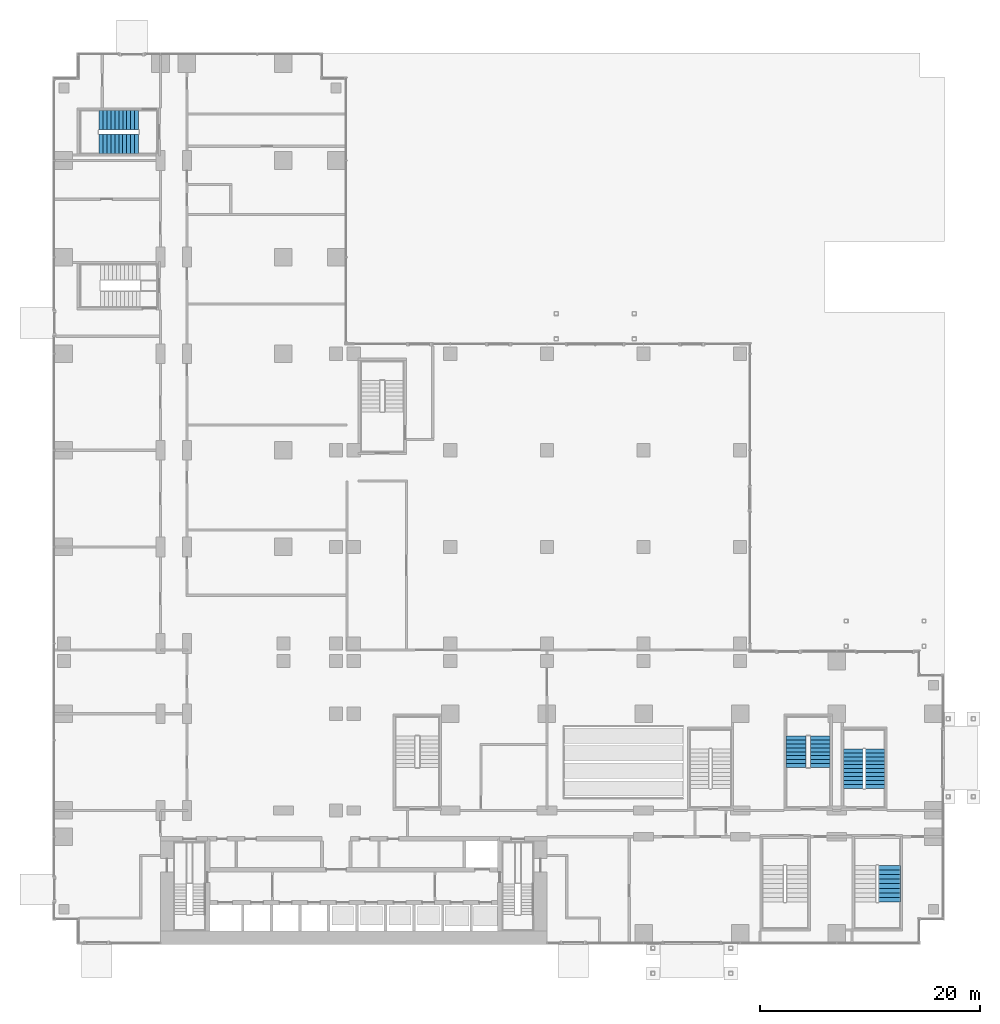
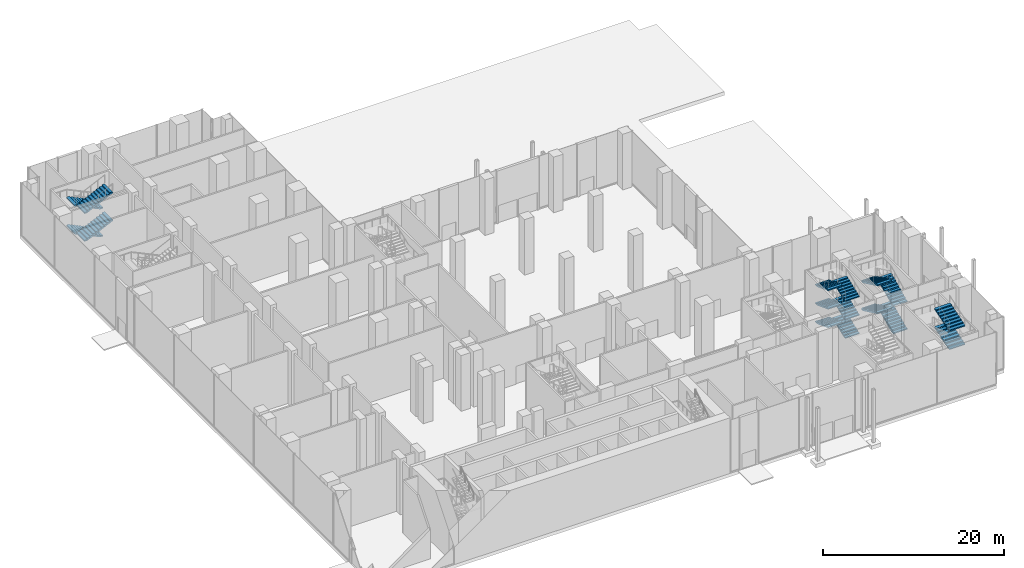
# One storey, part 31 of 41: 16 stair flights, 4 elements without a shape of their own.
"""IFC4 building model written with IfcOpenShell, lengths in metres."""

from ifc_helpers import new_model, si_unit, direction, frame, origin, place, context, subcontext, project, spatial, polyline, outline, extrude, material, type_object, element, aggregate, save


model = new_model("IFC4")

# Units and contexts
model_context = context("Model", 3, precision=1e-05, world=origin(), true_north=direction((0.0, 1.0)))
body_context = subcontext(model_context, "Body", "Model", "MODEL_VIEW")
ifc_project = project(units=[si_unit("LENGTHUNIT", "METRE"), si_unit("AREAUNIT", "SQUARE_METRE"), si_unit("VOLUMEUNIT", "CUBIC_METRE"), si_unit("PLANEANGLEUNIT", "RADIAN"), si_unit("MASSUNIT", "GRAM", prefix="KILO")], contexts=[model_context])

# Site, building, storey
site_placement = place(None, origin())
site = spatial("IfcSite", under=ifc_project, at=site_placement, CompositionType="ELEMENT")
building_placement = place(site_placement, origin())
building = spatial("IfcBuilding", under=site, at=building_placement, Name="Kemantara Hotel Tower", CompositionType="ELEMENT")
storey_placement = place(building_placement, origin())
storey = spatial("IfcBuildingStorey", under=building, at=storey_placement, Name="L00", CompositionType="ELEMENT", Elevation=0.0)

# Stair, stair flights
ifc_material = material(Name="Concrete fc 40 MPa", Category="concrete")
stair_type_1 = type_object("IfcStairType", Name="Stair 1800 wide 54 risers of 139 x 360 mm", PredefinedType="HALF_TURN_STAIR", material=ifc_material)
stair_1_placement = place(storey_placement, origin())
stair_1 = element("IfcStair", 1, at=stair_1_placement, inside=storey, type_object=stair_type_1, Name="L00 Stair PS1", PredefinedType="HALF_TURN_STAIR")
stair_flight_type_1 = type_object("IfcStairFlightType", Name="Stair flight 1800 wide 139 x 360 mm", PredefinedType="STRAIGHT", material=ifc_material)
stair_flight_1_placement = place(storey_placement, frame((69.89990234375, 16.10009765625, 0.0), z_axis=(0.0, 0.0, 1.0), x_axis=(0.0, 1.0, 0.0)))
stair_flight_1 = element("IfcStairFlight", 2, at=stair_flight_1_placement, type_object=stair_flight_type_1, Name="PS1 flight 1", NumberOfRisers=9, NumberOfTreads=8, PredefinedType="STRAIGHT", RiserHeight=0.138888889, TreadLength=0.36, context=body_context, shape_type="SweptSolid", body=[
    extrude(outline(polyline([(0.0, 0.0), (0.0, 0.138916015625), (0.360107421875, 0.138916015625), (0.360107421875, 0.27783203125), (0.719970703125, 0.27783203125), (0.719970703125, 0.416748046875), (1.080078125, 0.416748046875), (1.080078125, 0.5556640625), (1.43994140625, 0.5556640625), (1.43994140625, 0.6943359375), (1.800048828125, 0.6943359375), (1.800048828125, 0.833251953125), (2.159912109375, 0.833251953125), (2.159912109375, 0.97216796875), (2.52001953125, 0.97216796875), (2.52001953125, 1.111083984375), (2.8798828125, 1.111083984375), (2.8798828125, 1.25), (2.8798828125, 0.950439453125), (0.41650390625, 0.0), (0.0, 0.0)])), frame((0.0, 0.89990234375, 0.0), z_axis=(0.0, -1.0, 0.0), x_axis=(1.0, 0.0, 0.0)), (0.0, 0.0, 1.0), 1.800048828125),
])
stair_flight_2_placement = place(storey_placement, frame((67.699951171875, 18.97998046875, 1.25), z_axis=(0.0, 0.0, 1.0), x_axis=(0.0, -1.0, 0.0)))
stair_flight_2 = element("IfcStairFlight", 3, at=stair_flight_2_placement, type_object=stair_flight_type_1, Name="PS1 flight 2", NumberOfRisers=9, NumberOfTreads=8, PredefinedType="STRAIGHT", RiserHeight=0.138888889, TreadLength=0.36, context=body_context, shape_type="SweptSolid", body=[
    extrude(outline(polyline([(0.0, 0.0), (0.0, 0.138916015625), (0.360107421875, 0.138916015625), (0.360107421875, 0.27783203125), (0.719970703125, 0.27783203125), (0.719970703125, 0.416748046875), (1.080078125, 0.416748046875), (1.080078125, 0.5556640625), (1.43994140625, 0.5556640625), (1.43994140625, 0.6943359375), (1.800048828125, 0.6943359375), (1.800048828125, 0.833251953125), (2.159912109375, 0.833251953125), (2.159912109375, 0.97216796875), (2.52001953125, 0.97216796875), (2.52001953125, 1.111083984375), (2.8798828125, 1.111083984375), (2.8798828125, 1.25), (2.8798828125, 0.950439453125), (0.41650390625, 0.0), (0.0, 0.0)])), frame((0.0, 0.89990234375, 0.0), z_axis=(0.0, -1.0, 0.0), x_axis=(1.0, 0.0, 0.0)), (0.0, 0.0, 1.0), 1.800048828125),
])
stair_flight_3_placement = place(storey_placement, frame((69.89990234375, 16.10009765625, 2.5), z_axis=(0.0, 0.0, 1.0), x_axis=(0.0, 1.0, 0.0)))
stair_flight_3 = element("IfcStairFlight", 4, at=stair_flight_3_placement, type_object=stair_flight_type_1, Name="PS1 flight 3", NumberOfRisers=9, NumberOfTreads=8, PredefinedType="STRAIGHT", RiserHeight=0.138888889, TreadLength=0.36, context=body_context, shape_type="SweptSolid", body=[
    extrude(outline(polyline([(0.0, 0.0), (0.0, 0.138916015625), (0.360107421875, 0.138916015625), (0.360107421875, 0.27783203125), (0.719970703125, 0.27783203125), (0.719970703125, 0.416748046875), (1.080078125, 0.416748046875), (1.080078125, 0.5556640625), (1.43994140625, 0.5556640625), (1.43994140625, 0.6943359375), (1.800048828125, 0.6943359375), (1.800048828125, 0.833251953125), (2.159912109375, 0.833251953125), (2.159912109375, 0.97216796875), (2.52001953125, 0.97216796875), (2.52001953125, 1.111083984375), (2.8798828125, 1.111083984375), (2.8798828125, 1.25), (2.8798828125, 0.950439453125), (0.41650390625, 0.0), (0.0, 0.0)])), frame((0.0, 0.89990234375, 0.0), z_axis=(0.0, -1.0, 0.0), x_axis=(1.0, 0.0, 0.0)), (0.0, 0.0, 1.0), 1.800048828125),
])
stair_flight_4_placement = place(storey_placement, frame((67.699951171875, 18.97998046875, 3.75), z_axis=(0.0, 0.0, 1.0), x_axis=(0.0, -1.0, 0.0)))
stair_flight_4 = element("IfcStairFlight", 5, at=stair_flight_4_placement, type_object=stair_flight_type_1, Name="PS1 flight 4", NumberOfRisers=9, NumberOfTreads=8, PredefinedType="STRAIGHT", RiserHeight=0.138888889, TreadLength=0.36, context=body_context, shape_type="SweptSolid", body=[
    extrude(outline(polyline([(0.0, 0.0), (0.0, 0.138916015625), (0.360107421875, 0.138916015625), (0.360107421875, 0.27783203125), (0.719970703125, 0.27783203125), (0.719970703125, 0.416748046875), (1.080078125, 0.416748046875), (1.080078125, 0.5556640625), (1.43994140625, 0.5556640625), (1.43994140625, 0.6943359375), (1.800048828125, 0.6943359375), (1.800048828125, 0.833251953125), (2.159912109375, 0.833251953125), (2.159912109375, 0.97216796875), (2.52001953125, 0.97216796875), (2.52001953125, 1.111083984375), (2.8798828125, 1.111083984375), (2.8798828125, 1.25), (2.8798828125, 0.950439453125), (0.41650390625, 0.0), (0.0, 0.0)])), frame((0.0, 0.89990234375, 0.0), z_axis=(0.0, -1.0, 0.0), x_axis=(1.0, 0.0, 0.0)), (0.0, 0.0, 1.0), 1.800048828125),
])
stair_flight_5_placement = place(storey_placement, frame((69.89990234375, 16.10009765625, 5.0), z_axis=(0.0, 0.0, 1.0), x_axis=(0.0, 1.0, 0.0)))
stair_flight_5 = element("IfcStairFlight", 6, at=stair_flight_5_placement, type_object=stair_flight_type_1, Name="PS1 flight 5", NumberOfRisers=9, NumberOfTreads=8, PredefinedType="STRAIGHT", RiserHeight=0.138888889, TreadLength=0.36, context=body_context, shape_type="SweptSolid", body=[
    extrude(outline(polyline([(0.0, 0.0), (0.0, 0.138916015625), (0.360107421875, 0.138916015625), (0.360107421875, 0.27783203125), (0.719970703125, 0.27783203125), (0.719970703125, 0.416748046875), (1.080078125, 0.416748046875), (1.080078125, 0.5556640625), (1.43994140625, 0.5556640625), (1.43994140625, 0.6943359375), (1.800048828125, 0.6943359375), (1.800048828125, 0.833251953125), (2.159912109375, 0.833251953125), (2.159912109375, 0.97216796875), (2.52001953125, 0.97216796875), (2.52001953125, 1.111083984375), (2.8798828125, 1.111083984375), (2.8798828125, 1.25), (2.8798828125, 0.950439453125), (0.41650390625, 0.0), (0.0, 0.0)])), frame((0.0, 0.89990234375, 0.0), z_axis=(0.0, -1.0, 0.0), x_axis=(1.0, 0.0, 0.0)), (0.0, 0.0, 1.0), 1.800048828125),
])
stair_flight_6_placement = place(storey_placement, frame((67.699951171875, 18.97998046875, 6.25), z_axis=(0.0, 0.0, 1.0), x_axis=(0.0, -1.0, 0.0)))
stair_flight_6 = element("IfcStairFlight", 7, at=stair_flight_6_placement, type_object=stair_flight_type_1, Name="PS1 flight 6", NumberOfRisers=9, NumberOfTreads=8, PredefinedType="STRAIGHT", RiserHeight=0.138888889, TreadLength=0.36, context=body_context, shape_type="SweptSolid", body=[
    extrude(outline(polyline([(0.0, 0.0), (0.0, 0.138916015625), (0.360107421875, 0.138916015625), (0.360107421875, 0.27783203125), (0.719970703125, 0.27783203125), (0.719970703125, 0.416748046875), (1.080078125, 0.416748046875), (1.080078125, 0.5556640625), (1.43994140625, 0.5556640625), (1.43994140625, 0.6943359375), (1.800048828125, 0.6943359375), (1.800048828125, 0.833251953125), (2.159912109375, 0.833251953125), (2.159912109375, 0.97216796875), (2.52001953125, 0.97216796875), (2.52001953125, 1.111083984375), (2.8798828125, 1.111083984375), (2.8798828125, 1.25), (2.8798828125, 0.950439453125), (0.41650390625, 0.0), (0.0, 0.0)])), frame((0.0, 0.89990234375, 0.0), z_axis=(0.0, -1.0, 0.0), x_axis=(1.0, 0.0, 0.0)), (0.0, 0.0, 1.0), 1.800048828125),
])
aggregate(stair_1, [stair_flight_1, stair_flight_2, stair_flight_3, stair_flight_4, stair_flight_5, stair_flight_6])

stair_type_2 = type_object("IfcStairType", Name="Stair 1800 wide 44 risers of 170 x 360 mm", PredefinedType="HALF_TURN_STAIR", material=ifc_material)
stair_2_placement = place(storey_placement, origin())
stair_2 = element("IfcStair", 8, at=stair_2_placement, inside=storey, type_object=stair_type_2, Name="L00 Exit stair ST5", PredefinedType="HALF_TURN_STAIR")
stair_flight_type_2 = type_object("IfcStairFlightType", Name="Stair flight 1800 wide 170 x 360 mm", PredefinedType="STRAIGHT", material=ifc_material)
stair_flight_7_placement = place(storey_placement, frame((74.89990234375, 14.199951171875, 0.0), z_axis=(0.0, 0.0, 1.0), x_axis=(0.0, 1.0, 0.0)))
stair_flight_7 = element("IfcStairFlight", 9, at=stair_flight_7_placement, type_object=stair_flight_type_2, Name="ST5 flight 1", NumberOfRisers=11, NumberOfTreads=10, PredefinedType="STRAIGHT", RiserHeight=0.170454545, TreadLength=0.36, context=body_context, shape_type="SweptSolid", body=[
    extrude(outline(polyline([(0.0, 0.0), (0.0, 0.17041015625), (0.360107421875, 0.17041015625), (0.360107421875, 0.3408203125), (0.719970703125, 0.3408203125), (0.719970703125, 0.511474609375), (1.080078125, 0.511474609375), (1.080078125, 0.681884765625), (1.43994140625, 0.681884765625), (1.43994140625, 0.852294921875), (1.800048828125, 0.852294921875), (1.800048828125, 1.022705078125), (2.159912109375, 1.022705078125), (2.159912109375, 1.193115234375), (2.52001953125, 1.193115234375), (2.52001953125, 1.363525390625), (2.8798828125, 1.363525390625), (2.8798828125, 1.5341796875), (3.239990234375, 1.5341796875), (3.239990234375, 1.70458984375), (3.60009765625, 1.70458984375), (3.60009765625, 1.875), (3.60009765625, 1.53857421875), (0.350341796875, 0.0), (0.0, 0.0)])), frame((0.0, 0.89990234375, 0.0), z_axis=(0.0, -1.0, 0.0), x_axis=(1.0, 0.0, 0.0)), (0.0, 0.0, 1.0), 1.800048828125),
])
stair_flight_8_placement = place(storey_placement, frame((72.89990234375, 17.800048828125, 1.875), z_axis=(0.0, 0.0, 1.0), x_axis=(0.0, -1.0, 0.0)))
stair_flight_8 = element("IfcStairFlight", 10, at=stair_flight_8_placement, type_object=stair_flight_type_2, Name="ST5 flight 2", NumberOfRisers=11, NumberOfTreads=10, PredefinedType="STRAIGHT", RiserHeight=0.170454545, TreadLength=0.36, context=body_context, shape_type="SweptSolid", body=[
    extrude(outline(polyline([(0.0, 0.0), (0.0, 0.17041015625), (0.360107421875, 0.17041015625), (0.360107421875, 0.3408203125), (0.719970703125, 0.3408203125), (0.719970703125, 0.511474609375), (1.080078125, 0.511474609375), (1.080078125, 0.681884765625), (1.43994140625, 0.681884765625), (1.43994140625, 0.852294921875), (1.800048828125, 0.852294921875), (1.800048828125, 1.022705078125), (2.159912109375, 1.022705078125), (2.159912109375, 1.193115234375), (2.52001953125, 1.193115234375), (2.52001953125, 1.363525390625), (2.8798828125, 1.363525390625), (2.8798828125, 1.5341796875), (3.239990234375, 1.5341796875), (3.239990234375, 1.70458984375), (3.60009765625, 1.70458984375), (3.60009765625, 1.875), (3.60009765625, 1.53857421875), (0.350341796875, 0.0), (0.0, 0.0)])), frame((0.0, 0.89990234375, 0.0), z_axis=(0.0, -1.0, 0.0), x_axis=(1.0, 0.0, 0.0)), (0.0, 0.0, 1.0), 1.800048828125),
])
stair_flight_9_placement = place(storey_placement, frame((74.89990234375, 14.199951171875, 3.75), z_axis=(0.0, 0.0, 1.0), x_axis=(0.0, 1.0, 0.0)))
stair_flight_9 = element("IfcStairFlight", 11, at=stair_flight_9_placement, type_object=stair_flight_type_2, Name="ST5 flight 3", NumberOfRisers=11, NumberOfTreads=10, PredefinedType="STRAIGHT", RiserHeight=0.170454545, TreadLength=0.36, context=body_context, shape_type="SweptSolid", body=[
    extrude(outline(polyline([(0.0, 0.0), (0.0, 0.17041015625), (0.360107421875, 0.17041015625), (0.360107421875, 0.3408203125), (0.719970703125, 0.3408203125), (0.719970703125, 0.511474609375), (1.080078125, 0.511474609375), (1.080078125, 0.681884765625), (1.43994140625, 0.681884765625), (1.43994140625, 0.852294921875), (1.800048828125, 0.852294921875), (1.800048828125, 1.022705078125), (2.159912109375, 1.022705078125), (2.159912109375, 1.193115234375), (2.52001953125, 1.193115234375), (2.52001953125, 1.363525390625), (2.8798828125, 1.363525390625), (2.8798828125, 1.5341796875), (3.239990234375, 1.5341796875), (3.239990234375, 1.70458984375), (3.60009765625, 1.70458984375), (3.60009765625, 1.875), (3.60009765625, 1.53857421875), (0.350341796875, 0.0), (0.0, 0.0)])), frame((0.0, 0.89990234375, 0.0), z_axis=(0.0, -1.0, 0.0), x_axis=(1.0, 0.0, 0.0)), (0.0, 0.0, 1.0), 1.800048828125),
])
stair_flight_10_placement = place(storey_placement, frame((72.89990234375, 17.800048828125, 5.625), z_axis=(0.0, 0.0, 1.0), x_axis=(0.0, -1.0, 0.0)))
stair_flight_10 = element("IfcStairFlight", 12, at=stair_flight_10_placement, type_object=stair_flight_type_2, Name="ST5 flight 4", NumberOfRisers=11, NumberOfTreads=10, PredefinedType="STRAIGHT", RiserHeight=0.170454545, TreadLength=0.36, context=body_context, shape_type="SweptSolid", body=[
    extrude(outline(polyline([(0.0, 0.0), (0.0, 0.17041015625), (0.360107421875, 0.17041015625), (0.360107421875, 0.3408203125), (0.719970703125, 0.3408203125), (0.719970703125, 0.511474609375), (1.080078125, 0.511474609375), (1.080078125, 0.681884765625), (1.43994140625, 0.681884765625), (1.43994140625, 0.852294921875), (1.800048828125, 0.852294921875), (1.800048828125, 1.022705078125), (2.159912109375, 1.022705078125), (2.159912109375, 1.193115234375), (2.52001953125, 1.193115234375), (2.52001953125, 1.363525390625), (2.8798828125, 1.363525390625), (2.8798828125, 1.5341796875), (3.239990234375, 1.5341796875), (3.239990234375, 1.70458984375), (3.60009765625, 1.70458984375), (3.60009765625, 1.875), (3.60009765625, 1.53857421875), (0.350341796875, 0.0), (0.0, 0.0)])), frame((0.0, 0.89990234375, 0.0), z_axis=(0.0, -1.0, 0.0), x_axis=(1.0, 0.0, 0.0)), (0.0, 0.0, 1.0), 1.800048828125),
])
aggregate(stair_2, [stair_flight_7, stair_flight_8, stair_flight_9, stair_flight_10])

stair_3_placement = place(storey_placement, origin())
stair_3 = element("IfcStair", 13, at=stair_3_placement, inside=storey, type_object=stair_type_2, Name="L00 Exit stair ST6", PredefinedType="HALF_TURN_STAIR")
stair_flight_11_placement = place(storey_placement, frame((7.800048828125, 75.10009765625, 0.0), z_axis=(0.0, 0.0, 1.0), x_axis=(-1.0, 0.0, 0.0)))
stair_flight_11 = element("IfcStairFlight", 14, at=stair_flight_11_placement, type_object=stair_flight_type_2, Name="ST6 flight 1", NumberOfRisers=11, NumberOfTreads=10, PredefinedType="STRAIGHT", RiserHeight=0.170454545, TreadLength=0.36, context=body_context, shape_type="SweptSolid", body=[
    extrude(outline(polyline([(0.0, 0.0), (0.0, 0.17041015625), (0.360107421875, 0.17041015625), (0.360107421875, 0.3408203125), (0.719970703125, 0.3408203125), (0.719970703125, 0.511474609375), (1.080078125, 0.511474609375), (1.080078125, 0.681884765625), (1.43994140625, 0.681884765625), (1.43994140625, 0.852294921875), (1.800048828125, 0.852294921875), (1.800048828125, 1.022705078125), (2.159912109375, 1.022705078125), (2.159912109375, 1.193115234375), (2.52001953125, 1.193115234375), (2.52001953125, 1.363525390625), (2.8798828125, 1.363525390625), (2.8798828125, 1.5341796875), (3.239990234375, 1.5341796875), (3.239990234375, 1.70458984375), (3.60009765625, 1.70458984375), (3.60009765625, 1.875), (3.60009765625, 1.53857421875), (0.350341796875, 0.0), (0.0, 0.0)])), frame((0.0, 0.89990234375, 0.0), z_axis=(0.0, -1.0, 0.0), x_axis=(1.0, 0.0, 0.0)), (0.0, 0.0, 1.0), 1.800048828125),
])
stair_flight_12_placement = place(storey_placement, frame((4.199951171875, 72.89990234375, 1.875), z_axis=(0.0, 0.0, 1.0), x_axis=(1.0, 0.0, 0.0)))
stair_flight_12 = element("IfcStairFlight", 15, at=stair_flight_12_placement, type_object=stair_flight_type_2, Name="ST6 flight 2", NumberOfRisers=11, NumberOfTreads=10, PredefinedType="STRAIGHT", RiserHeight=0.170454545, TreadLength=0.36, context=body_context, shape_type="SweptSolid", body=[
    extrude(outline(polyline([(0.0, 0.0), (0.0, 0.17041015625), (0.360107421875, 0.17041015625), (0.360107421875, 0.3408203125), (0.719970703125, 0.3408203125), (0.719970703125, 0.511474609375), (1.080078125, 0.511474609375), (1.080078125, 0.681884765625), (1.43994140625, 0.681884765625), (1.43994140625, 0.852294921875), (1.800048828125, 0.852294921875), (1.800048828125, 1.022705078125), (2.159912109375, 1.022705078125), (2.159912109375, 1.193115234375), (2.52001953125, 1.193115234375), (2.52001953125, 1.363525390625), (2.8798828125, 1.363525390625), (2.8798828125, 1.5341796875), (3.239990234375, 1.5341796875), (3.239990234375, 1.70458984375), (3.60009765625, 1.70458984375), (3.60009765625, 1.875), (3.60009765625, 1.53857421875), (0.350341796875, 0.0), (0.0, 0.0)])), frame((0.0, 0.89990234375, 0.0), z_axis=(0.0, -1.0, 0.0), x_axis=(1.0, 0.0, 0.0)), (0.0, 0.0, 1.0), 1.800048828125),
])
stair_flight_13_placement = place(storey_placement, frame((7.800048828125, 75.10009765625, 3.75), z_axis=(0.0, 0.0, 1.0), x_axis=(-1.0, 0.0, 0.0)))
stair_flight_13 = element("IfcStairFlight", 16, at=stair_flight_13_placement, type_object=stair_flight_type_2, Name="ST6 flight 3", NumberOfRisers=11, NumberOfTreads=10, PredefinedType="STRAIGHT", RiserHeight=0.170454545, TreadLength=0.36, context=body_context, shape_type="SweptSolid", body=[
    extrude(outline(polyline([(0.0, 0.0), (0.0, 0.17041015625), (0.360107421875, 0.17041015625), (0.360107421875, 0.3408203125), (0.719970703125, 0.3408203125), (0.719970703125, 0.511474609375), (1.080078125, 0.511474609375), (1.080078125, 0.681884765625), (1.43994140625, 0.681884765625), (1.43994140625, 0.852294921875), (1.800048828125, 0.852294921875), (1.800048828125, 1.022705078125), (2.159912109375, 1.022705078125), (2.159912109375, 1.193115234375), (2.52001953125, 1.193115234375), (2.52001953125, 1.363525390625), (2.8798828125, 1.363525390625), (2.8798828125, 1.5341796875), (3.239990234375, 1.5341796875), (3.239990234375, 1.70458984375), (3.60009765625, 1.70458984375), (3.60009765625, 1.875), (3.60009765625, 1.53857421875), (0.350341796875, 0.0), (0.0, 0.0)])), frame((0.0, 0.89990234375, 0.0), z_axis=(0.0, -1.0, 0.0), x_axis=(1.0, 0.0, 0.0)), (0.0, 0.0, 1.0), 1.800048828125),
])
stair_flight_14_placement = place(storey_placement, frame((4.199951171875, 72.89990234375, 5.625), z_axis=(0.0, 0.0, 1.0), x_axis=(1.0, 0.0, 0.0)))
stair_flight_14 = element("IfcStairFlight", 17, at=stair_flight_14_placement, type_object=stair_flight_type_2, Name="ST6 flight 4", NumberOfRisers=11, NumberOfTreads=10, PredefinedType="STRAIGHT", RiserHeight=0.170454545, TreadLength=0.36, context=body_context, shape_type="SweptSolid", body=[
    extrude(outline(polyline([(0.0, 0.0), (0.0, 0.17041015625), (0.360107421875, 0.17041015625), (0.360107421875, 0.3408203125), (0.719970703125, 0.3408203125), (0.719970703125, 0.511474609375), (1.080078125, 0.511474609375), (1.080078125, 0.681884765625), (1.43994140625, 0.681884765625), (1.43994140625, 0.852294921875), (1.800048828125, 0.852294921875), (1.800048828125, 1.022705078125), (2.159912109375, 1.022705078125), (2.159912109375, 1.193115234375), (2.52001953125, 1.193115234375), (2.52001953125, 1.363525390625), (2.8798828125, 1.363525390625), (2.8798828125, 1.5341796875), (3.239990234375, 1.5341796875), (3.239990234375, 1.70458984375), (3.60009765625, 1.70458984375), (3.60009765625, 1.875), (3.60009765625, 1.53857421875), (0.350341796875, 0.0), (0.0, 0.0)])), frame((0.0, 0.89990234375, 0.0), z_axis=(0.0, -1.0, 0.0), x_axis=(1.0, 0.0, 0.0)), (0.0, 0.0, 1.0), 1.800048828125),
])
aggregate(stair_3, [stair_flight_11, stair_flight_12, stair_flight_13, stair_flight_14])

stair_type_3 = type_object("IfcStairType", Name="Stair 2000 wide 54 risers of 139 x 420 mm", PredefinedType="HALF_TURN_STAIR", material=ifc_material)
stair_4_placement = place(storey_placement, origin())
stair_4 = element("IfcStair", 18, at=stair_4_placement, inside=storey, type_object=stair_type_3, Name="L00 Stair PS5", PredefinedType="HALF_TURN_STAIR")
stair_flight_type_3 = type_object("IfcStairFlightType", Name="Stair flight 2000 wide 139 x 420 mm", PredefinedType="STRAIGHT", material=ifc_material)
stair_flight_15_placement = place(storey_placement, frame((76.199951171875, 3.840087890625, 3.75), z_axis=(0.0, 0.0, 1.0), x_axis=(0.0, 1.0, 0.0)))
stair_flight_15 = element("IfcStairFlight", 19, at=stair_flight_15_placement, type_object=stair_flight_type_3, Name="PS5 flight 4", NumberOfRisers=9, NumberOfTreads=8, PredefinedType="STRAIGHT", RiserHeight=0.138888889, TreadLength=0.42, context=body_context, shape_type="SweptSolid", body=[
    extrude(outline(polyline([(0.0, 0.0), (0.0, 0.138916015625), (0.419921875, 0.138916015625), (0.419921875, 0.27783203125), (0.840087890625, 0.27783203125), (0.840087890625, 0.416748046875), (1.260009765625, 0.416748046875), (1.260009765625, 0.5556640625), (1.679931640625, 0.5556640625), (1.679931640625, 0.6943359375), (2.10009765625, 0.6943359375), (2.10009765625, 0.833251953125), (2.52001953125, 0.833251953125), (2.52001953125, 0.97216796875), (2.93994140625, 0.97216796875), (2.93994140625, 1.111083984375), (3.360107421875, 1.111083984375), (3.360107421875, 1.25), (3.360107421875, 0.953125), (0.4775390625, 0.0), (0.0, 0.0)])), frame((0.0, 1.0, 0.0), z_axis=(0.0, -1.0, 0.0), x_axis=(1.0, 0.0, 0.0)), (0.0, 0.0, 1.0), 2.0),
])
stair_flight_16_placement = place(storey_placement, frame((76.199951171875, 3.840087890625, 6.25), z_axis=(0.0, 0.0, 1.0), x_axis=(0.0, 1.0, 0.0)))
stair_flight_16 = element("IfcStairFlight", 20, at=stair_flight_16_placement, type_object=stair_flight_type_3, Name="PS5 flight 6", NumberOfRisers=9, NumberOfTreads=8, PredefinedType="STRAIGHT", RiserHeight=0.138888889, TreadLength=0.42, context=body_context, shape_type="SweptSolid", body=[
    extrude(outline(polyline([(0.0, 0.0), (0.0, 0.138916015625), (0.419921875, 0.138916015625), (0.419921875, 0.27783203125), (0.840087890625, 0.27783203125), (0.840087890625, 0.416748046875), (1.260009765625, 0.416748046875), (1.260009765625, 0.5556640625), (1.679931640625, 0.5556640625), (1.679931640625, 0.6943359375), (2.10009765625, 0.6943359375), (2.10009765625, 0.833251953125), (2.52001953125, 0.833251953125), (2.52001953125, 0.97216796875), (2.93994140625, 0.97216796875), (2.93994140625, 1.111083984375), (3.360107421875, 1.111083984375), (3.360107421875, 1.25), (3.360107421875, 0.953125), (0.4775390625, 0.0), (0.0, 0.0)])), frame((0.0, 1.0, 0.0), z_axis=(0.0, -1.0, 0.0), x_axis=(1.0, 0.0, 0.0)), (0.0, 0.0, 1.0), 2.0),
])
aggregate(stair_4, [stair_flight_15, stair_flight_16])

save(model, "model.ifc")
